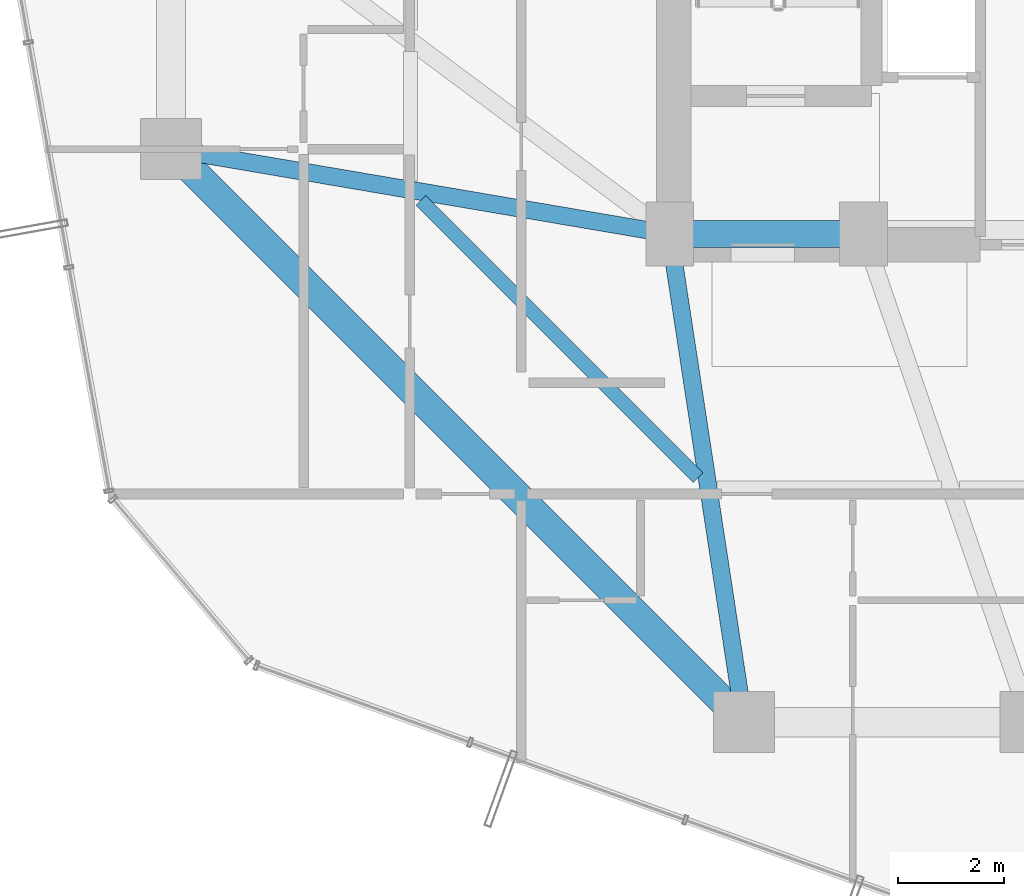
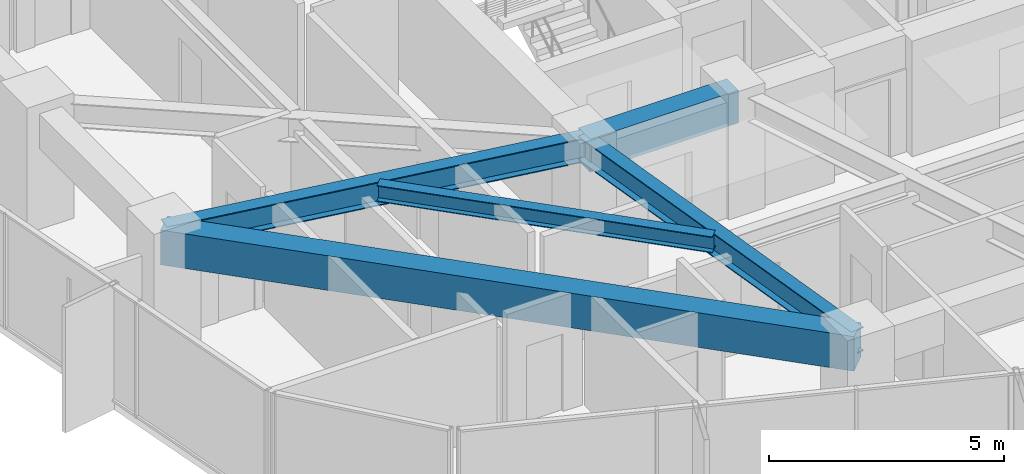
# One storey, part 5 of 36: 5 beams.
"""IFC4 building model written with IfcOpenShell, lengths in metres."""

from ifc_helpers import new_model, si_unit, direction, frame, origin, origin_2d, place, context, subcontext, project, spatial, rectangle, i_section, extrude, material, material_profile, profile_set, type_object, element, save


model = new_model("IFC4")

# Units and contexts
model_context = context("Model", 3, precision=1e-05, world=origin(), true_north=direction((0.0, 1.0)))
body_context = subcontext(model_context, "Body", "Model", "MODEL_VIEW")
ifc_project = project(units=[si_unit("LENGTHUNIT", "METRE"), si_unit("AREAUNIT", "SQUARE_METRE"), si_unit("VOLUMEUNIT", "CUBIC_METRE"), si_unit("PLANEANGLEUNIT", "RADIAN"), si_unit("MASSUNIT", "GRAM", prefix="KILO")], contexts=[model_context])

# Site, building, storey
site_placement = place(None, origin())
site = spatial("IfcSite", under=ifc_project, at=site_placement, CompositionType="ELEMENT")
building_placement = place(site_placement, origin())
building = spatial("IfcBuilding", under=site, at=building_placement, Name="Veraguas Prism Commons", CompositionType="ELEMENT")
storey_placement = place(building_placement, frame((0.0, 0.0, 163.050048828125)))
storey = spatial("IfcBuildingStorey", under=building, at=storey_placement, Name="L46", CompositionType="ELEMENT", Elevation=163.050048828125)

# Beams
ifc_material_1 = material(Name="Concrete C50/60", Category="concrete")
ifc_material_profile_1 = material_profile(ifc_material_1, rectangle(XDim=0.5, YDim=0.85009765625, at=origin_2d()), Name="RC500X850")
ifc_profile_set_1 = profile_set([ifc_material_profile_1], Name="Concrete C50/60")
beam_type_1 = type_object("IfcBeamType", Name="Core Coupling Beam RC 500x850", PredefinedType="BEAM", material=ifc_profile_set_1)
beam_1_placement = place(storey_placement, frame((17.199951171875, 17.0, 2.574951171875), z_axis=(1.0, 0.0, 0.0), x_axis=(0.0, 1.0, 0.0)))
element("IfcBeam", 1, at=beam_1_placement, inside=storey, type_object=beam_type_1, Name="Core Coupling Beam L46-CRS1", PredefinedType="BEAM", context=body_context, shape_type="SweptSolid", body=[
    extrude(rectangle(XDim=0.5, YDim=0.85009765625, at=origin_2d()), origin(), (0.0, 0.0, 1.0), 3.650146484375),
])
ifc_material_2 = material(Name="Steel ASTM A992 Grade 50", Category="steel")
ifc_material_profile_2 = material_profile(ifc_material_2, i_section(OverallWidth=0.260986328125, OverallDepth=0.419921875, WebThickness=0.01171875, FlangeThickness=0.019287109375, at=origin_2d()), Name="W410X114")
ifc_profile_set_2 = profile_set([ifc_material_profile_2], Name="Steel ASTM A992 Grade 50")
beam_type_2 = type_object("IfcBeamType", Name="Lower Floor Joist W410x114", PredefinedType="JOIST", material=ifc_profile_set_2)
beam_2_placement = place(storey_placement, frame((12.510009765625, 17.634033203125, 2.7900390625), z_axis=(0.707090260193, -0.707123301794, 0.0), x_axis=(0.707123301794, 0.707090260193, 0.0)))
element("IfcBeam", 2, at=beam_2_placement, inside=storey, type_object=beam_type_2, Name="Composite Floor Joist L46-JS09", PredefinedType="JOIST", context=body_context, shape_type="SweptSolid", body=[
    extrude(i_section(OverallWidth=0.260986328125, OverallDepth=0.419921875, WebThickness=0.01171875, FlangeThickness=0.019287109375, at=origin_2d()), origin(), (0.0, 0.0, 1.0), 7.388916015625),
])
ifc_material_profile_3 = material_profile(ifc_material_1, rectangle(XDim=0.550048828125, YDim=0.89990234375, at=origin_2d()), Name="RC550X900")
ifc_profile_set_3 = profile_set([ifc_material_profile_3], Name="Concrete C50/60")
beam_type_3 = type_object("IfcBeamType", Name="Perimeter Spandrel Lower RC 550x900", PredefinedType="SPANDREL", material=ifc_profile_set_3)
beam_3_placement = place(storey_placement, frame((7.800048828125, 18.60009765625, 2.550048828125), z_axis=(0.707106781187, -0.707106781187, 0.0), x_axis=(0.707106781187, 0.707106781187, 0.0)))
element("IfcBeam", 3, at=beam_3_placement, inside=storey, type_object=beam_type_3, Name="Perimeter Spandrel Beam L46-SP09", PredefinedType="SPANDREL", context=body_context, shape_type="SweptSolid", body=[
    extrude(rectangle(XDim=0.550048828125, YDim=0.89990234375, at=origin_2d()), origin(), (0.0, 0.0, 1.0), 15.273681640625),
])
ifc_material_profile_4 = material_profile(ifc_material_2, i_section(OverallWidth=0.327880859375, OverallDepth=0.6220703125, WebThickness=0.015380859375, FlangeThickness=0.0244140625, at=origin_2d()), Name="W610X195")
ifc_profile_set_4 = profile_set([ifc_material_profile_4], Name="Steel ASTM A992 Grade 50")
beam_type_4 = type_object("IfcBeamType", Name="Zone 2 Radial Girder W610x195", PredefinedType="BEAM", material=ifc_profile_set_4)
beam_4_placement = place(storey_placement, frame((7.800048828125, 18.60009765625, 2.68896484375), z_axis=(0.985819187151, -0.1678109956, 0.0), x_axis=(0.1678109956, 0.985819187151, 0.0)))
element("IfcBeam", 4, at=beam_4_placement, inside=storey, type_object=beam_type_4, Name="Radial Floor Girder L46-RD09", PredefinedType="BEAM", context=body_context, shape_type="SweptSolid", body=[
    extrude(i_section(OverallWidth=0.327880859375, OverallDepth=0.6220703125, WebThickness=0.015380859375, FlangeThickness=0.0244140625, at=origin_2d()), origin(), (0.0, 0.0, 1.0), 9.53515625),
])
beam_5_placement = place(storey_placement, frame((18.60009765625, 7.800048828125, 2.68896484375), z_axis=(-0.150458162136, 0.98861637729, 0.0), x_axis=(-0.98861637729, -0.150458162136, 0.0)))
element("IfcBeam", 5, at=beam_5_placement, inside=storey, type_object=beam_type_4, Name="Radial Floor Girder L46-RD10", PredefinedType="BEAM", context=body_context, shape_type="SweptSolid", body=[
    extrude(i_section(OverallWidth=0.327880859375, OverallDepth=0.6220703125, WebThickness=0.015380859375, FlangeThickness=0.0244140625, at=origin_2d()), origin(), (0.0, 0.0, 1.0), 9.305908203125),
])

save(model, "model.ifc")
